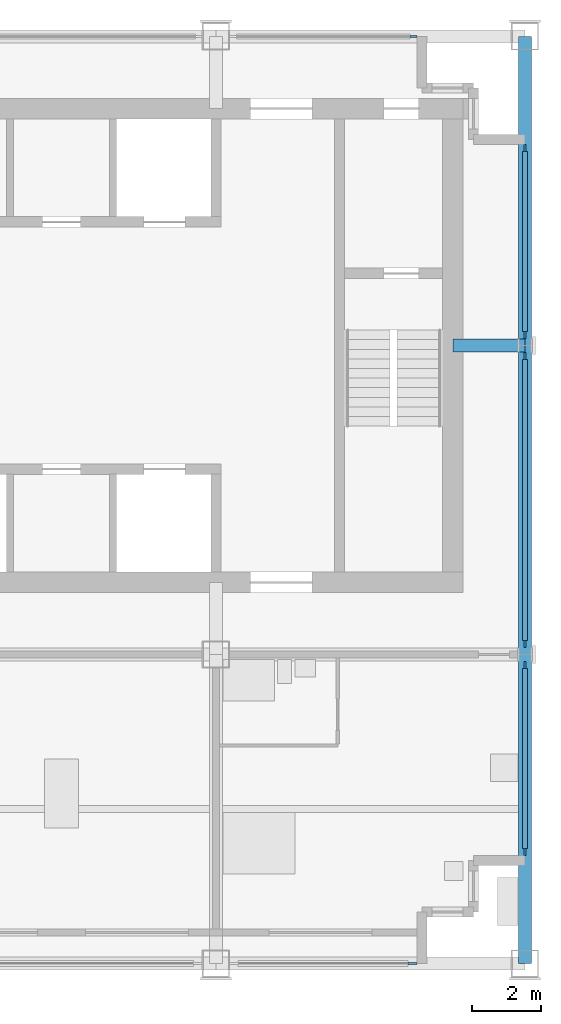
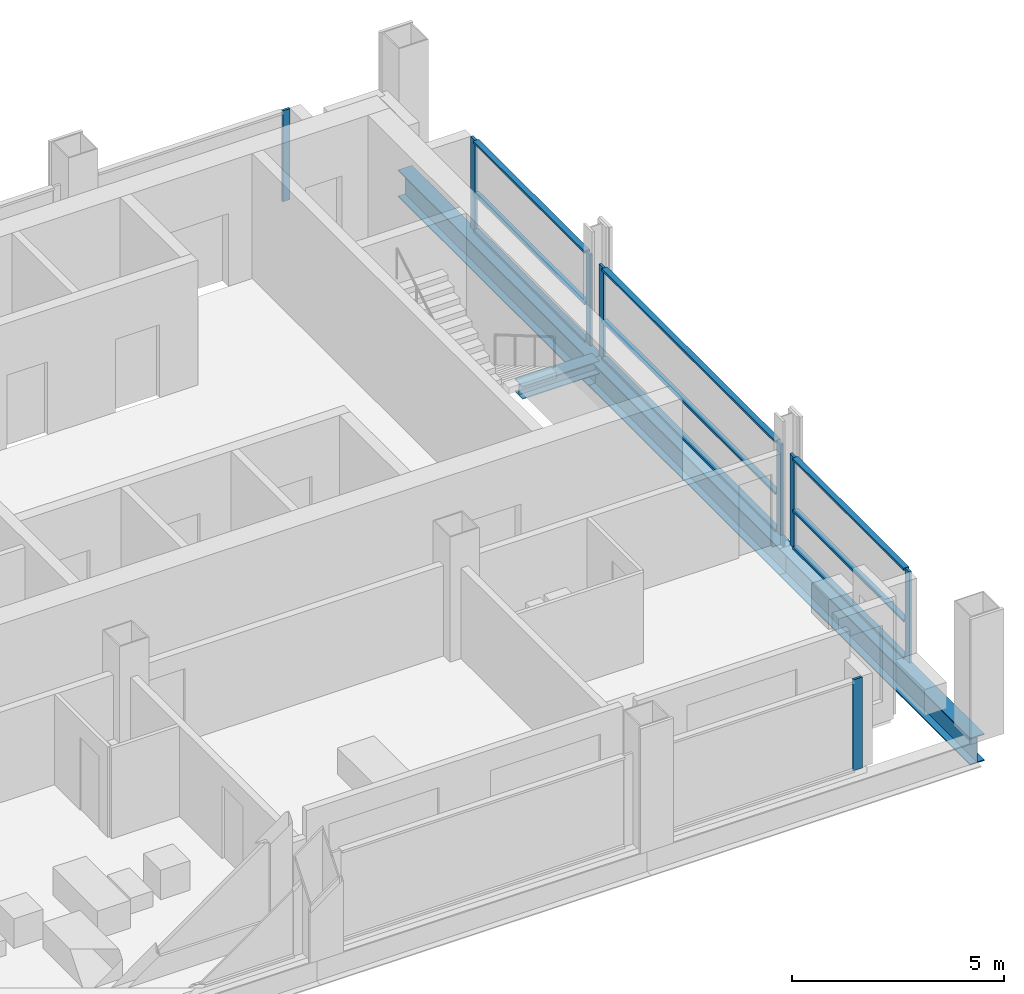
# One storey, part 4 of 11: 18 members, 3 beams, 5 elements without a shape of their own.
"""IFC4 building model written with IfcOpenShell, lengths in metres."""

from ifc_helpers import new_model, si_unit, direction, frame, origin, origin_2d, place, context, subcontext, project, spatial, rectangle, i_section, extrude, material, material_profile, profile_set, type_object, element, aggregate, save


model = new_model("IFC4")

# Units and contexts
model_context = context("Model", 3, precision=1e-05, world=origin(), true_north=direction((0.0, 1.0)))
body_context = subcontext(model_context, "Body", "Model", "MODEL_VIEW")
ifc_project = project(units=[si_unit("LENGTHUNIT", "METRE"), si_unit("AREAUNIT", "SQUARE_METRE"), si_unit("VOLUMEUNIT", "CUBIC_METRE"), si_unit("PLANEANGLEUNIT", "RADIAN"), si_unit("MASSUNIT", "GRAM", prefix="KILO")], contexts=[model_context])

# Site, building, storey
site_placement = place(None, origin())
site = spatial("IfcSite", under=ifc_project, at=site_placement, CompositionType="ELEMENT")
building_placement = place(site_placement, origin())
building = spatial("IfcBuilding", under=site, at=building_placement, Name="Loomwork Tower", CompositionType="ELEMENT")
storey_placement = place(building_placement, frame((0.0, 0.0, 262.60009765625)))
storey = spatial("IfcBuildingStorey", under=building, at=storey_placement, Name="L72", CompositionType="ELEMENT", Elevation=262.60009765625)

# Member
ifc_material_1 = material(Name="Steel ASTM A992", Category="steel")
ifc_material_profile_1 = material_profile(ifc_material_1, i_section(OverallWidth=0.373291015625, OverallDepth=0.373291015625, WebThickness=0.016357421875, FlangeThickness=0.026123046875, at=origin_2d()), Name="W14x132")
ifc_profile_set_1 = profile_set([ifc_material_profile_1], Name="Steel ASTM A992")
member_type_1 = type_object("IfcMemberType", Name="CORE LINK STRUT W14x132", PredefinedType="STRUT", material=ifc_profile_set_1)
member_1_placement = place(storey_placement, frame((36.0, 18.0, -0.38671875), z_axis=(-1.0, 0.0, 0.0), x_axis=(0.0, -1.0, 0.0)))
element("IfcMember", 1, at=member_1_placement, inside=storey, type_object=member_type_1, Name="Core link strut F/6-33.900,18.000 L72", PredefinedType="STRUT", context=body_context, shape_type="SweptSolid", body=[
    extrude(i_section(OverallWidth=0.373291015625, OverallDepth=0.373291015625, WebThickness=0.016357421875, FlangeThickness=0.026123046875, at=origin_2d()), origin(), (0.0, 0.0, 1.0), 2.10009765625),
])

# Curtain wall, member
ifc_material_2 = material(Name="Aluminium curtain wall frame", Category="aluminium")
curtain_wall_type_1 = type_object("IfcCurtainWallType", Name="Outer skin glazing suites", PredefinedType="NOTDEFINED", material=ifc_material_2)
curtain_wall_1_placement = place(storey_placement, origin())
curtain_wall_1 = element("IfcCurtainWall", 2, at=curtain_wall_1_placement, inside=storey, type_object=curtain_wall_type_1, Name="Outer skin glazing suites cw/S-27", PredefinedType="NOTDEFINED")
ifc_material_3 = material(Name="Aluminium curtain wall frame", Category="aluminium")
ifc_material_profile_2 = material_profile(ifc_material_3, rectangle(XDim=0.06494140625, YDim=0.25, at=origin_2d()), Name="AL 65x250")
ifc_profile_set_2 = profile_set([ifc_material_profile_2], Name="Aluminium curtain wall frame")
member_type_2 = type_object("IfcMemberType", Name="Outer skin glazing suites mullion", PredefinedType="MULLION", material=ifc_profile_set_2)
member_2_placement = place(storey_placement, frame((32.72509765625, 0.0, 0.0), z_axis=(0.0, 0.0, 1.0), x_axis=(0.0, 1.0, 0.0)))
member_2 = element("IfcMember", 3, at=member_2_placement, type_object=member_type_2, Name="CW2 mullion 2", PredefinedType="MULLION", context=body_context, shape_type="SweptSolid", body=[
    extrude(rectangle(XDim=0.06494140625, YDim=0.25, at=origin_2d()), origin(), (0.0, 0.0, 1.0), 2.6201171875),
])
aggregate(curtain_wall_1, [member_2])

# Beams
ifc_material_4 = material(Name="Steel ASTM A992", Category="steel")
ifc_material_profile_3 = material_profile(ifc_material_4, i_section(OverallWidth=0.381103515625, OverallDepth=0.77978515625, WebThickness=0.01806640625, FlangeThickness=0.0302734375, at=origin_2d()), Name="W30x191")
ifc_profile_set_3 = profile_set([ifc_material_profile_3], Name="Steel ASTM A992")
beam_type = type_object("IfcBeamType", Name="SPANDREL GIRDER W30x191", PredefinedType="SPANDREL", material=ifc_profile_set_3)
for number, where, z_axis, x_axis, name in (
    (4, (36.0, 0.0, -0.590087890625), (0.0, 1.0, 0.0), (-1.0, 0.0, 0.0), "Spandrel Girder D/6-E/6 L72"),
    (5, (36.0, 9.0, -0.590087890625), (0.0, 1.0, 0.0), (-1.0, 0.0, 0.0), "Spandrel Girder E/6-F/6 L72"),
    (6, (36.0, 18.0, -0.590087890625), (0.0, 1.0, 0.0), (-1.0, 0.0, 0.0), "Spandrel Girder F/6-G/6 L72"),
):
    element("IfcBeam", number, at=place(storey_placement, frame(where, z_axis=z_axis, x_axis=x_axis)), inside=storey, type_object=beam_type, Name=name, PredefinedType="SPANDREL", context=body_context, shape_type="SweptSolid", body=[
        extrude(i_section(OverallWidth=0.381103515625, OverallDepth=0.77978515625, WebThickness=0.01806640625, FlangeThickness=0.0302734375, at=origin_2d()), origin(), (0.0, 0.0, 1.0), 9.0),
    ])

# Curtain wall, member
ifc_material_5 = material(Name="Aluminium curtain wall frame", Category="aluminium")
curtain_wall_type_2 = type_object("IfcCurtainWallType", Name="Single skin glazing corridor", PredefinedType="NOTDEFINED", material=ifc_material_5)
curtain_wall_2_placement = place(storey_placement, origin())
curtain_wall_2 = element("IfcCurtainWall", 7, at=curtain_wall_2_placement, inside=storey, type_object=curtain_wall_type_2, Name="Single skin glazing corridor cw/N-27", PredefinedType="NOTDEFINED")
ifc_material_6 = material(Name="Aluminium curtain wall frame", Category="aluminium")
ifc_material_profile_4 = material_profile(ifc_material_6, rectangle(XDim=0.06494140625, YDim=0.199951171875, at=origin_2d()), Name="AL 65x200")
ifc_profile_set_4 = profile_set([ifc_material_profile_4], Name="Aluminium curtain wall frame")
member_type_3 = type_object("IfcMemberType", Name="Single skin glazing corridor mullion", PredefinedType="MULLION", material=ifc_profile_set_4)
member_3_placement = place(storey_placement, frame((32.75, 27.0, 0.0), z_axis=(0.0, 0.0, 1.0), x_axis=(0.0, -1.0, 0.0)))
member_3 = element("IfcMember", 8, at=member_3_placement, type_object=member_type_3, Name="CW3 mullion 1", PredefinedType="MULLION", context=body_context, shape_type="SweptSolid", body=[
    extrude(rectangle(XDim=0.06494140625, YDim=0.199951171875, at=origin_2d()), origin(), (0.0, 0.0, 1.0), 2.6201171875),
])
aggregate(curtain_wall_2, [member_3])

# Curtain wall, members
curtain_wall_3_placement = place(storey_placement, origin())
curtain_wall_3 = element("IfcCurtainWall", 9, at=curtain_wall_3_placement, inside=storey, type_object=curtain_wall_type_2, Name="Single skin glazing corridor cw/E-0", PredefinedType="NOTDEFINED")
member_4_placement = place(storey_placement, frame((36.0, 3.25, 0.0), z_axis=(0.0, 0.0, 1.0), x_axis=(-1.0, 0.0, 0.0)))
member_4 = element("IfcMember", 10, at=member_4_placement, type_object=member_type_3, Name="CW3 mullion 1", PredefinedType="MULLION", context=body_context, shape_type="SweptSolid", body=[
    extrude(rectangle(XDim=0.06494140625, YDim=0.199951171875, at=origin_2d()), origin(), (0.0, 0.0, 1.0), 2.6201171875),
])
member_5_placement = place(storey_placement, frame((36.0, 8.691650390625, 0.0), z_axis=(0.0, 0.0, 1.0), x_axis=(-1.0, 0.0, 0.0)))
member_5 = element("IfcMember", 11, at=member_5_placement, type_object=member_type_3, Name="CW3 mullion 2", PredefinedType="MULLION", context=body_context, shape_type="SweptSolid", body=[
    extrude(rectangle(XDim=0.06494140625, YDim=0.199951171875, at=origin_2d()), origin(), (0.0, 0.0, 1.0), 2.6201171875),
])

curtain_wall_4_placement = place(storey_placement, origin())
curtain_wall_4 = element("IfcCurtainWall", 12, at=curtain_wall_4_placement, inside=storey, type_object=curtain_wall_type_2, Name="Single skin glazing corridor cw/E-9", PredefinedType="NOTDEFINED")
member_6_placement = place(storey_placement, frame((36.0, 9.308349609375, 0.0), z_axis=(0.0, 0.0, 1.0), x_axis=(-1.0, 0.0, 0.0)))
member_6 = element("IfcMember", 13, at=member_6_placement, type_object=member_type_3, Name="CW3 mullion 1", PredefinedType="MULLION", context=body_context, shape_type="SweptSolid", body=[
    extrude(rectangle(XDim=0.06494140625, YDim=0.199951171875, at=origin_2d()), origin(), (0.0, 0.0, 1.0), 2.6201171875),
])
member_7_placement = place(storey_placement, frame((36.0, 17.691650390625, 0.0), z_axis=(0.0, 0.0, 1.0), x_axis=(-1.0, 0.0, 0.0)))
member_7 = element("IfcMember", 14, at=member_7_placement, type_object=member_type_3, Name="CW3 mullion 2", PredefinedType="MULLION", context=body_context, shape_type="SweptSolid", body=[
    extrude(rectangle(XDim=0.06494140625, YDim=0.199951171875, at=origin_2d()), origin(), (0.0, 0.0, 1.0), 2.6201171875),
])

curtain_wall_5_placement = place(storey_placement, origin())
curtain_wall_5 = element("IfcCurtainWall", 15, at=curtain_wall_5_placement, inside=storey, type_object=curtain_wall_type_2, Name="Single skin glazing corridor cw/E-18", PredefinedType="NOTDEFINED")
member_8_placement = place(storey_placement, frame((36.0, 18.308349609375, 0.0), z_axis=(0.0, 0.0, 1.0), x_axis=(-1.0, 0.0, 0.0)))
member_8 = element("IfcMember", 16, at=member_8_placement, type_object=member_type_3, Name="CW3 mullion 1", PredefinedType="MULLION", context=body_context, shape_type="SweptSolid", body=[
    extrude(rectangle(XDim=0.06494140625, YDim=0.199951171875, at=origin_2d()), origin(), (0.0, 0.0, 1.0), 2.6201171875),
])
member_9_placement = place(storey_placement, frame((36.0, 23.75, 0.0), z_axis=(0.0, 0.0, 1.0), x_axis=(-1.0, 0.0, 0.0)))
member_9 = element("IfcMember", 17, at=member_9_placement, type_object=member_type_3, Name="CW3 mullion 2", PredefinedType="MULLION", context=body_context, shape_type="SweptSolid", body=[
    extrude(rectangle(XDim=0.06494140625, YDim=0.199951171875, at=origin_2d()), origin(), (0.0, 0.0, 1.0), 2.6201171875),
])

# Member
ifc_material_7 = material(Name="Aluminium curtain wall frame", Category="aluminium")
ifc_material_profile_5 = material_profile(ifc_material_7, rectangle(XDim=0.14990234375, YDim=0.06494140625, at=origin_2d()), Name="AL 65x150")
ifc_profile_set_5 = profile_set([ifc_material_profile_5], Name="Aluminium curtain wall frame")
member_type_4 = type_object("IfcMemberType", Name="Single skin glazing corridor transom", PredefinedType="USERDEFINED", material=ifc_profile_set_5)
member_10_placement = place(storey_placement, frame((36.0, 3.35009765625, 0.032470703125), z_axis=(0.0, 1.0, 0.0), x_axis=(-1.0, 0.0, 0.0)))
member_10 = element("IfcMember", 18, at=member_10_placement, type_object=member_type_4, Name="CW3 transom 1.1", ObjectType="TRANSOM", PredefinedType="USERDEFINED", context=body_context, shape_type="SweptSolid", body=[
    extrude(rectangle(XDim=0.14990234375, YDim=0.06494140625, at=origin_2d()), origin(), (0.0, 0.0, 1.0), 5.24169921875),
])

member_11_placement = place(storey_placement, frame((36.0, 3.35009765625, 1.099853515625), z_axis=(0.0, 1.0, 0.0), x_axis=(-1.0, 0.0, 0.0)))
member_11 = element("IfcMember", 19, at=member_11_placement, type_object=member_type_4, Name="CW3 transom 1.2", ObjectType="TRANSOM", PredefinedType="USERDEFINED", context=body_context, shape_type="SweptSolid", body=[
    extrude(rectangle(XDim=0.14990234375, YDim=0.06494140625, at=origin_2d()), origin(), (0.0, 0.0, 1.0), 5.24169921875),
])

member_12_placement = place(storey_placement, frame((36.0, 3.35009765625, 2.587646484375), z_axis=(0.0, 1.0, 0.0), x_axis=(-1.0, 0.0, 0.0)))
member_12 = element("IfcMember", 20, at=member_12_placement, type_object=member_type_4, Name="CW3 transom 1.3", ObjectType="TRANSOM", PredefinedType="USERDEFINED", context=body_context, shape_type="SweptSolid", body=[
    extrude(rectangle(XDim=0.14990234375, YDim=0.06494140625, at=origin_2d()), origin(), (0.0, 0.0, 1.0), 5.24169921875),
])

aggregate(curtain_wall_3, [member_4, member_5, member_10, member_11, member_12])

member_13_placement = place(storey_placement, frame((36.0, 9.408203125, 0.032470703125), z_axis=(0.0, 1.0, 0.0), x_axis=(-1.0, 0.0, 0.0)))
member_13 = element("IfcMember", 21, at=member_13_placement, type_object=member_type_4, Name="CW3 transom 1.1", ObjectType="TRANSOM", PredefinedType="USERDEFINED", context=body_context, shape_type="SweptSolid", body=[
    extrude(rectangle(XDim=0.14990234375, YDim=0.06494140625, at=origin_2d()), origin(), (0.0, 0.0, 1.0), 8.18359375),
])

member_14_placement = place(storey_placement, frame((36.0, 9.408203125, 1.099853515625), z_axis=(0.0, 1.0, 0.0), x_axis=(-1.0, 0.0, 0.0)))
member_14 = element("IfcMember", 22, at=member_14_placement, type_object=member_type_4, Name="CW3 transom 1.2", ObjectType="TRANSOM", PredefinedType="USERDEFINED", context=body_context, shape_type="SweptSolid", body=[
    extrude(rectangle(XDim=0.14990234375, YDim=0.06494140625, at=origin_2d()), origin(), (0.0, 0.0, 1.0), 8.18359375),
])

member_15_placement = place(storey_placement, frame((36.0, 9.408203125, 2.587646484375), z_axis=(0.0, 1.0, 0.0), x_axis=(-1.0, 0.0, 0.0)))
member_15 = element("IfcMember", 23, at=member_15_placement, type_object=member_type_4, Name="CW3 transom 1.3", ObjectType="TRANSOM", PredefinedType="USERDEFINED", context=body_context, shape_type="SweptSolid", body=[
    extrude(rectangle(XDim=0.14990234375, YDim=0.06494140625, at=origin_2d()), origin(), (0.0, 0.0, 1.0), 8.18359375),
])

aggregate(curtain_wall_4, [member_6, member_7, member_13, member_14, member_15])

member_16_placement = place(storey_placement, frame((36.0, 18.408203125, 0.032470703125), z_axis=(0.0, 1.0, 0.0), x_axis=(-1.0, 0.0, 0.0)))
member_16 = element("IfcMember", 24, at=member_16_placement, type_object=member_type_4, Name="CW3 transom 1.1", ObjectType="TRANSOM", PredefinedType="USERDEFINED", context=body_context, shape_type="SweptSolid", body=[
    extrude(rectangle(XDim=0.14990234375, YDim=0.06494140625, at=origin_2d()), origin(), (0.0, 0.0, 1.0), 5.24169921875),
])

member_17_placement = place(storey_placement, frame((36.0, 18.408203125, 1.099853515625), z_axis=(0.0, 1.0, 0.0), x_axis=(-1.0, 0.0, 0.0)))
member_17 = element("IfcMember", 25, at=member_17_placement, type_object=member_type_4, Name="CW3 transom 1.2", ObjectType="TRANSOM", PredefinedType="USERDEFINED", context=body_context, shape_type="SweptSolid", body=[
    extrude(rectangle(XDim=0.14990234375, YDim=0.06494140625, at=origin_2d()), origin(), (0.0, 0.0, 1.0), 5.24169921875),
])

member_18_placement = place(storey_placement, frame((36.0, 18.408203125, 2.587646484375), z_axis=(0.0, 1.0, 0.0), x_axis=(-1.0, 0.0, 0.0)))
member_18 = element("IfcMember", 26, at=member_18_placement, type_object=member_type_4, Name="CW3 transom 1.3", ObjectType="TRANSOM", PredefinedType="USERDEFINED", context=body_context, shape_type="SweptSolid", body=[
    extrude(rectangle(XDim=0.14990234375, YDim=0.06494140625, at=origin_2d()), origin(), (0.0, 0.0, 1.0), 5.24169921875),
])

aggregate(curtain_wall_5, [member_8, member_9, member_16, member_17, member_18])

save(model, "model.ifc")
